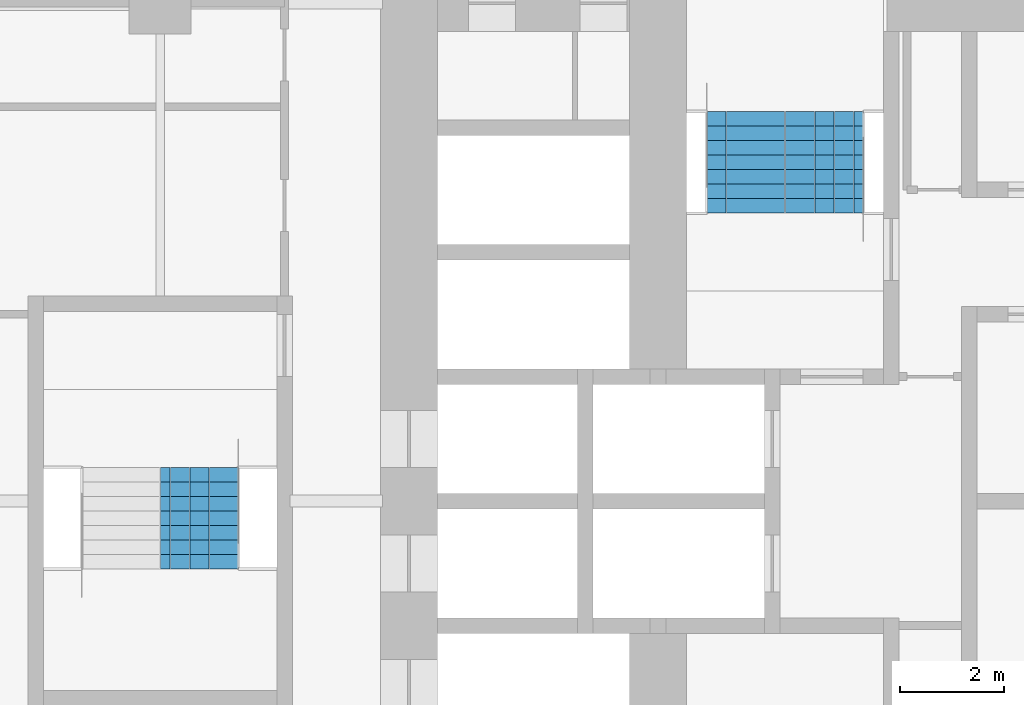
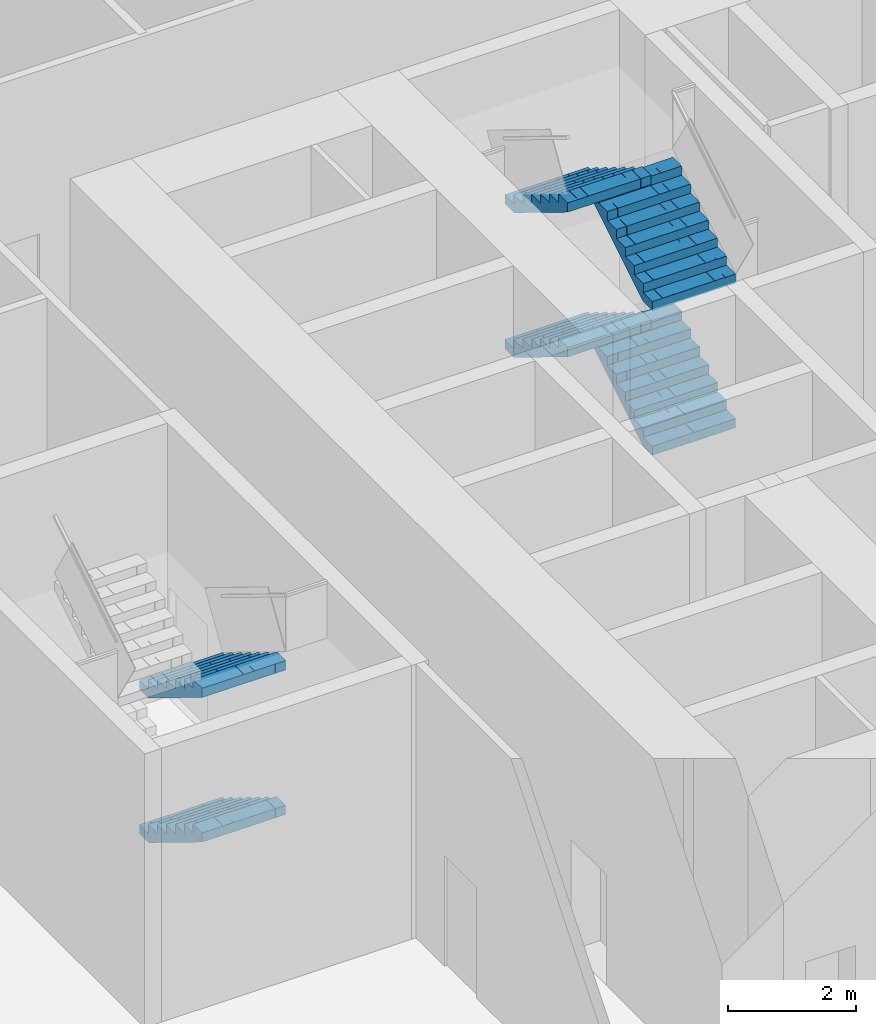
# One storey, part 24 of 27: 6 stair flights, 2 elements without a shape of their own.
"""IFC4 building model written with IfcOpenShell, lengths in metres."""

from ifc_helpers import new_model, si_unit, direction, frame, origin, place, context, subcontext, project, spatial, polyline, outline, extrude, material, type_object, element, aggregate, save


model = new_model("IFC4")

# Units and contexts
model_context = context("Model", 3, precision=1e-05, world=origin(), true_north=direction((0.0, 1.0)))
body_context = subcontext(model_context, "Body", "Model", "MODEL_VIEW")
ifc_project = project(units=[si_unit("LENGTHUNIT", "METRE"), si_unit("AREAUNIT", "SQUARE_METRE"), si_unit("VOLUMEUNIT", "CUBIC_METRE"), si_unit("PLANEANGLEUNIT", "RADIAN"), si_unit("MASSUNIT", "GRAM", prefix="KILO")], contexts=[model_context])

# Site, building, storey
site_placement = place(None, origin())
site = spatial("IfcSite", under=ifc_project, at=site_placement, CompositionType="ELEMENT")
building_placement = place(site_placement, origin())
building = spatial("IfcBuilding", under=site, at=building_placement, Name="Kolab Exchange Tower", CompositionType="ELEMENT")
storey_placement = place(building_placement, frame((0.0, 0.0, 66.39990234375)))
storey = spatial("IfcBuildingStorey", under=building, at=storey_placement, Name="L12", CompositionType="ELEMENT", Elevation=66.39990234375)

# Stair, stair flights
ifc_material = material(Name="Concrete C50/60", Category="concrete")
stair_type_1 = type_object("IfcStairType", Name="STAIR ST1 RISER 171.9", PredefinedType="DOUBLE_RETURN_STAIR", material=ifc_material)
stair_1_placement = place(storey_placement, origin())
stair_1 = element("IfcStair", 1, at=stair_1_placement, inside=storey, type_object=stair_type_1, Name="Stair 1", PredefinedType="DOUBLE_RETURN_STAIR")
stair_flight_type = type_object("IfcStairFlightType", Name="STAIR FLIGHT 1500 RISER 171.9", PredefinedType="STRAIGHT", material=ifc_material)
stair_flight_1_placement = place(storey_placement, frame((-6.389892578125, 5.550048828125, 0.0), z_axis=(0.0, 0.0, 1.0), x_axis=(0.0, 1.0, 0.0)))
stair_flight_1 = element("IfcStairFlight", 2, at=stair_flight_1_placement, type_object=stair_flight_type, Name="ST1 flight 1", NumberOfRisers=8, NumberOfTreads=7, PredefinedType="STRAIGHT", RiserHeight=0.171875, TreadLength=0.28, context=body_context, shape_type="SweptSolid", body=[
    extrude(outline(polyline([(0.0, 0.0), (0.0, 0.171875), (0.280029296875, 0.171875), (0.280029296875, 0.34375), (0.56005859375, 0.34375), (0.56005859375, 0.515625), (0.840087890625, 0.515625), (0.840087890625, 0.6875), (1.1201171875, 0.6875), (1.1201171875, 0.859375), (1.39990234375, 0.859375), (1.39990234375, 1.03125), (1.679931640625, 1.03125), (1.679931640625, 1.203125), (1.9599609375, 1.203125), (1.9599609375, 1.375), (1.9599609375, 1.02734375), (0.28662109375, 0.0), (0.0, 0.0)])), frame((0.0, 0.75, 0.0), z_axis=(0.0, -1.0, 0.0), x_axis=(1.0, 0.0, 0.0)), (0.0, 0.0, 1.0), 0.185791015625),
    extrude(outline(polyline([(0.0, 0.0), (0.0, 0.171875), (0.280029296875, 0.171875), (0.280029296875, 0.34375), (0.56005859375, 0.34375), (0.56005859375, 0.515625), (0.840087890625, 0.515625), (0.840087890625, 0.6875), (1.1201171875, 0.6875), (1.1201171875, 0.859375), (1.39990234375, 0.859375), (1.39990234375, 1.03125), (1.679931640625, 1.03125), (1.679931640625, 1.203125), (1.9599609375, 1.203125), (1.9599609375, 1.375), (1.9599609375, 1.02734375), (0.28662109375, 0.0), (0.0, 0.0)])), frame((0.0, 0.562255859375, 0.0), z_axis=(0.0, -1.0, 0.0), x_axis=(1.0, 0.0, 0.0)), (0.0, 0.0, 1.0), 0.185791015625),
    extrude(outline(polyline([(0.0, 0.0), (0.0, 0.171875), (0.280029296875, 0.171875), (0.280029296875, 0.34375), (0.56005859375, 0.34375), (0.56005859375, 0.515625), (0.840087890625, 0.515625), (0.840087890625, 0.6875), (1.1201171875, 0.6875), (1.1201171875, 0.859375), (1.39990234375, 0.859375), (1.39990234375, 1.03125), (1.679931640625, 1.03125), (1.679931640625, 1.203125), (1.9599609375, 1.203125), (1.9599609375, 1.375), (1.9599609375, 1.02734375), (0.28662109375, 0.0), (0.0, 0.0)])), frame((0.0, 0.37451171875, 0.0), z_axis=(0.0, -1.0, 0.0), x_axis=(1.0, 0.0, 0.0)), (0.0, 0.0, 1.0), 0.185791015625),
    extrude(outline(polyline([(0.0, 0.0), (0.0, 0.171875), (0.280029296875, 0.171875), (0.280029296875, 0.34375), (0.56005859375, 0.34375), (0.56005859375, 0.515625), (0.840087890625, 0.515625), (0.840087890625, 0.6875), (1.1201171875, 0.6875), (1.1201171875, 0.859375), (1.39990234375, 0.859375), (1.39990234375, 1.03125), (1.679931640625, 1.03125), (1.679931640625, 1.203125), (1.9599609375, 1.203125), (1.9599609375, 1.375), (1.9599609375, 1.02734375), (0.28662109375, 0.0), (0.0, 0.0)])), frame((0.0, 0.186767578125, 0.0), z_axis=(0.0, -1.0, 0.0), x_axis=(1.0, 0.0, 0.0)), (0.0, 0.0, 1.0), 0.185791015625),
    extrude(outline(polyline([(0.0, 0.0), (0.0, 0.171875), (0.280029296875, 0.171875), (0.280029296875, 0.34375), (0.56005859375, 0.34375), (0.56005859375, 0.515625), (0.840087890625, 0.515625), (0.840087890625, 0.6875), (1.1201171875, 0.6875), (1.1201171875, 0.859375), (1.39990234375, 0.859375), (1.39990234375, 1.03125), (1.679931640625, 1.03125), (1.679931640625, 1.203125), (1.9599609375, 1.203125), (1.9599609375, 1.375), (1.9599609375, 1.02734375), (0.28662109375, 0.0), (0.0, 0.0)])), frame((0.0, -0.0009765625, 0.0), z_axis=(0.0, -1.0, 0.0), x_axis=(1.0, 0.0, 0.0)), (0.0, 0.0, 1.0), 0.185791015625),
    extrude(outline(polyline([(0.0, 0.0), (0.0, 0.171875), (0.280029296875, 0.171875), (0.280029296875, 0.34375), (0.56005859375, 0.34375), (0.56005859375, 0.515625), (0.840087890625, 0.515625), (0.840087890625, 0.6875), (1.1201171875, 0.6875), (1.1201171875, 0.859375), (1.39990234375, 0.859375), (1.39990234375, 1.03125), (1.679931640625, 1.03125), (1.679931640625, 1.203125), (1.9599609375, 1.203125), (1.9599609375, 1.375), (1.9599609375, 1.02734375), (0.28662109375, 0.0), (0.0, 0.0)])), frame((0.0, -0.188720703125, 0.0), z_axis=(0.0, -1.0, 0.0), x_axis=(1.0, 0.0, 0.0)), (0.0, 0.0, 1.0), 0.185791015625),
    extrude(outline(polyline([(0.0, 0.0), (0.0, 0.171875), (0.280029296875, 0.171875), (0.280029296875, 0.34375), (0.56005859375, 0.34375), (0.56005859375, 0.515625), (0.840087890625, 0.515625), (0.840087890625, 0.6875), (1.1201171875, 0.6875), (1.1201171875, 0.859375), (1.39990234375, 0.859375), (1.39990234375, 1.03125), (1.679931640625, 1.03125), (1.679931640625, 1.203125), (1.9599609375, 1.203125), (1.9599609375, 1.375), (1.9599609375, 1.02734375), (0.28662109375, 0.0), (0.0, 0.0)])), frame((0.0, -0.37646484375, 0.0), z_axis=(0.0, -1.0, 0.0), x_axis=(1.0, 0.0, 0.0)), (0.0, 0.0, 1.0), 0.185791015625),
    extrude(outline(polyline([(0.0, 0.0), (0.0, 0.171875), (0.280029296875, 0.171875), (0.280029296875, 0.34375), (0.56005859375, 0.34375), (0.56005859375, 0.515625), (0.840087890625, 0.515625), (0.840087890625, 0.6875), (1.1201171875, 0.6875), (1.1201171875, 0.859375), (1.39990234375, 0.859375), (1.39990234375, 1.03125), (1.679931640625, 1.03125), (1.679931640625, 1.203125), (1.9599609375, 1.203125), (1.9599609375, 1.375), (1.9599609375, 1.02734375), (0.28662109375, 0.0), (0.0, 0.0)])), frame((0.0, -0.564208984375, 0.0), z_axis=(0.0, -1.0, 0.0), x_axis=(1.0, 0.0, 0.0)), (0.0, 0.0, 1.0), 0.185791015625),
])
stair_flight_2_placement = place(storey_placement, frame((-7.909912109375, 7.510009765625, 1.375), z_axis=(0.0, 0.0, 1.0), x_axis=(0.0, -1.0, 0.0)))
stair_flight_2 = element("IfcStairFlight", 3, at=stair_flight_2_placement, type_object=stair_flight_type, Name="ST1 flight 2", NumberOfRisers=8, NumberOfTreads=7, PredefinedType="STRAIGHT", RiserHeight=0.171875, TreadLength=0.28, context=body_context, shape_type="SweptSolid", body=[
    extrude(outline(polyline([(0.0, 0.0), (0.0, 0.171875), (0.280029296875, 0.171875), (0.280029296875, 0.34375), (0.56005859375, 0.34375), (0.56005859375, 0.515625), (0.840087890625, 0.515625), (0.840087890625, 0.6875), (1.1201171875, 0.6875), (1.1201171875, 0.859375), (1.39990234375, 0.859375), (1.39990234375, 1.03125), (1.679931640625, 1.03125), (1.679931640625, 1.203125), (1.9599609375, 1.203125), (1.9599609375, 1.375), (1.9599609375, 1.02734375), (0.28662109375, 0.0), (0.0, 0.0)])), frame((0.0, 0.75, 0.0), z_axis=(0.0, -1.0, 0.0), x_axis=(1.0, 0.0, 0.0)), (0.0, 0.0, 1.0), 0.185791015625),
    extrude(outline(polyline([(0.0, 0.0), (0.0, 0.171875), (0.280029296875, 0.171875), (0.280029296875, 0.34375), (0.56005859375, 0.34375), (0.56005859375, 0.515625), (0.840087890625, 0.515625), (0.840087890625, 0.6875), (1.1201171875, 0.6875), (1.1201171875, 0.859375), (1.39990234375, 0.859375), (1.39990234375, 1.03125), (1.679931640625, 1.03125), (1.679931640625, 1.203125), (1.9599609375, 1.203125), (1.9599609375, 1.375), (1.9599609375, 1.02734375), (0.28662109375, 0.0), (0.0, 0.0)])), frame((0.0, 0.562255859375, 0.0), z_axis=(0.0, -1.0, 0.0), x_axis=(1.0, 0.0, 0.0)), (0.0, 0.0, 1.0), 0.185791015625),
    extrude(outline(polyline([(0.0, 0.0), (0.0, 0.171875), (0.280029296875, 0.171875), (0.280029296875, 0.34375), (0.56005859375, 0.34375), (0.56005859375, 0.515625), (0.840087890625, 0.515625), (0.840087890625, 0.6875), (1.1201171875, 0.6875), (1.1201171875, 0.859375), (1.39990234375, 0.859375), (1.39990234375, 1.03125), (1.679931640625, 1.03125), (1.679931640625, 1.203125), (1.9599609375, 1.203125), (1.9599609375, 1.375), (1.9599609375, 1.02734375), (0.28662109375, 0.0), (0.0, 0.0)])), frame((0.0, 0.37451171875, 0.0), z_axis=(0.0, -1.0, 0.0), x_axis=(1.0, 0.0, 0.0)), (0.0, 0.0, 1.0), 0.185791015625),
    extrude(outline(polyline([(0.0, 0.0), (0.0, 0.171875), (0.280029296875, 0.171875), (0.280029296875, 0.34375), (0.56005859375, 0.34375), (0.56005859375, 0.515625), (0.840087890625, 0.515625), (0.840087890625, 0.6875), (1.1201171875, 0.6875), (1.1201171875, 0.859375), (1.39990234375, 0.859375), (1.39990234375, 1.03125), (1.679931640625, 1.03125), (1.679931640625, 1.203125), (1.9599609375, 1.203125), (1.9599609375, 1.375), (1.9599609375, 1.02734375), (0.28662109375, 0.0), (0.0, 0.0)])), frame((0.0, 0.186767578125, 0.0), z_axis=(0.0, -1.0, 0.0), x_axis=(1.0, 0.0, 0.0)), (0.0, 0.0, 1.0), 0.185791015625),
    extrude(outline(polyline([(0.0, 0.0), (0.0, 0.171875), (0.280029296875, 0.171875), (0.280029296875, 0.34375), (0.56005859375, 0.34375), (0.56005859375, 0.515625), (0.840087890625, 0.515625), (0.840087890625, 0.6875), (1.1201171875, 0.6875), (1.1201171875, 0.859375), (1.39990234375, 0.859375), (1.39990234375, 1.03125), (1.679931640625, 1.03125), (1.679931640625, 1.203125), (1.9599609375, 1.203125), (1.9599609375, 1.375), (1.9599609375, 1.02734375), (0.28662109375, 0.0), (0.0, 0.0)])), frame((0.0, -0.0009765625, 0.0), z_axis=(0.0, -1.0, 0.0), x_axis=(1.0, 0.0, 0.0)), (0.0, 0.0, 1.0), 0.185791015625),
    extrude(outline(polyline([(0.0, 0.0), (0.0, 0.171875), (0.280029296875, 0.171875), (0.280029296875, 0.34375), (0.56005859375, 0.34375), (0.56005859375, 0.515625), (0.840087890625, 0.515625), (0.840087890625, 0.6875), (1.1201171875, 0.6875), (1.1201171875, 0.859375), (1.39990234375, 0.859375), (1.39990234375, 1.03125), (1.679931640625, 1.03125), (1.679931640625, 1.203125), (1.9599609375, 1.203125), (1.9599609375, 1.375), (1.9599609375, 1.02734375), (0.28662109375, 0.0), (0.0, 0.0)])), frame((0.0, -0.188720703125, 0.0), z_axis=(0.0, -1.0, 0.0), x_axis=(1.0, 0.0, 0.0)), (0.0, 0.0, 1.0), 0.185791015625),
    extrude(outline(polyline([(0.0, 0.0), (0.0, 0.171875), (0.280029296875, 0.171875), (0.280029296875, 0.34375), (0.56005859375, 0.34375), (0.56005859375, 0.515625), (0.840087890625, 0.515625), (0.840087890625, 0.6875), (1.1201171875, 0.6875), (1.1201171875, 0.859375), (1.39990234375, 0.859375), (1.39990234375, 1.03125), (1.679931640625, 1.03125), (1.679931640625, 1.203125), (1.9599609375, 1.203125), (1.9599609375, 1.375), (1.9599609375, 1.02734375), (0.28662109375, 0.0), (0.0, 0.0)])), frame((0.0, -0.37646484375, 0.0), z_axis=(0.0, -1.0, 0.0), x_axis=(1.0, 0.0, 0.0)), (0.0, 0.0, 1.0), 0.185791015625),
    extrude(outline(polyline([(0.0, 0.0), (0.0, 0.171875), (0.280029296875, 0.171875), (0.280029296875, 0.34375), (0.56005859375, 0.34375), (0.56005859375, 0.515625), (0.840087890625, 0.515625), (0.840087890625, 0.6875), (1.1201171875, 0.6875), (1.1201171875, 0.859375), (1.39990234375, 0.859375), (1.39990234375, 1.03125), (1.679931640625, 1.03125), (1.679931640625, 1.203125), (1.9599609375, 1.203125), (1.9599609375, 1.375), (1.9599609375, 1.02734375), (0.28662109375, 0.0), (0.0, 0.0)])), frame((0.0, -0.564208984375, 0.0), z_axis=(0.0, -1.0, 0.0), x_axis=(1.0, 0.0, 0.0)), (0.0, 0.0, 1.0), 0.185791015625),
])
stair_flight_3_placement = place(storey_placement, frame((-6.389892578125, 5.550048828125, 2.75), z_axis=(0.0, 0.0, 1.0), x_axis=(0.0, 1.0, 0.0)))
stair_flight_3 = element("IfcStairFlight", 4, at=stair_flight_3_placement, type_object=stair_flight_type, Name="ST1 flight 3", NumberOfRisers=8, NumberOfTreads=7, PredefinedType="STRAIGHT", RiserHeight=0.171875, TreadLength=0.28, context=body_context, shape_type="SweptSolid", body=[
    extrude(outline(polyline([(0.0, 0.0), (0.0, 0.171875), (0.280029296875, 0.171875), (0.280029296875, 0.34375), (0.56005859375, 0.34375), (0.56005859375, 0.515625), (0.840087890625, 0.515625), (0.840087890625, 0.6875), (1.1201171875, 0.6875), (1.1201171875, 0.859375), (1.39990234375, 0.859375), (1.39990234375, 1.03125), (1.679931640625, 1.03125), (1.679931640625, 1.203125), (1.9599609375, 1.203125), (1.9599609375, 1.375), (1.9599609375, 1.02734375), (0.28662109375, 0.0), (0.0, 0.0)])), frame((0.0, 0.75, 0.0), z_axis=(0.0, -1.0, 0.0), x_axis=(1.0, 0.0, 0.0)), (0.0, 0.0, 1.0), 0.185791015625),
    extrude(outline(polyline([(0.0, 0.0), (0.0, 0.171875), (0.280029296875, 0.171875), (0.280029296875, 0.34375), (0.56005859375, 0.34375), (0.56005859375, 0.515625), (0.840087890625, 0.515625), (0.840087890625, 0.6875), (1.1201171875, 0.6875), (1.1201171875, 0.859375), (1.39990234375, 0.859375), (1.39990234375, 1.03125), (1.679931640625, 1.03125), (1.679931640625, 1.203125), (1.9599609375, 1.203125), (1.9599609375, 1.375), (1.9599609375, 1.02734375), (0.28662109375, 0.0), (0.0, 0.0)])), frame((0.0, 0.562255859375, 0.0), z_axis=(0.0, -1.0, 0.0), x_axis=(1.0, 0.0, 0.0)), (0.0, 0.0, 1.0), 0.185791015625),
    extrude(outline(polyline([(0.0, 0.0), (0.0, 0.171875), (0.280029296875, 0.171875), (0.280029296875, 0.34375), (0.56005859375, 0.34375), (0.56005859375, 0.515625), (0.840087890625, 0.515625), (0.840087890625, 0.6875), (1.1201171875, 0.6875), (1.1201171875, 0.859375), (1.39990234375, 0.859375), (1.39990234375, 1.03125), (1.679931640625, 1.03125), (1.679931640625, 1.203125), (1.9599609375, 1.203125), (1.9599609375, 1.375), (1.9599609375, 1.02734375), (0.28662109375, 0.0), (0.0, 0.0)])), frame((0.0, 0.37451171875, 0.0), z_axis=(0.0, -1.0, 0.0), x_axis=(1.0, 0.0, 0.0)), (0.0, 0.0, 1.0), 0.185791015625),
    extrude(outline(polyline([(0.0, 0.0), (0.0, 0.171875), (0.280029296875, 0.171875), (0.280029296875, 0.34375), (0.56005859375, 0.34375), (0.56005859375, 0.515625), (0.840087890625, 0.515625), (0.840087890625, 0.6875), (1.1201171875, 0.6875), (1.1201171875, 0.859375), (1.39990234375, 0.859375), (1.39990234375, 1.03125), (1.679931640625, 1.03125), (1.679931640625, 1.203125), (1.9599609375, 1.203125), (1.9599609375, 1.375), (1.9599609375, 1.02734375), (0.28662109375, 0.0), (0.0, 0.0)])), frame((0.0, 0.186767578125, 0.0), z_axis=(0.0, -1.0, 0.0), x_axis=(1.0, 0.0, 0.0)), (0.0, 0.0, 1.0), 0.185791015625),
    extrude(outline(polyline([(0.0, 0.0), (0.0, 0.171875), (0.280029296875, 0.171875), (0.280029296875, 0.34375), (0.56005859375, 0.34375), (0.56005859375, 0.515625), (0.840087890625, 0.515625), (0.840087890625, 0.6875), (1.1201171875, 0.6875), (1.1201171875, 0.859375), (1.39990234375, 0.859375), (1.39990234375, 1.03125), (1.679931640625, 1.03125), (1.679931640625, 1.203125), (1.9599609375, 1.203125), (1.9599609375, 1.375), (1.9599609375, 1.02734375), (0.28662109375, 0.0), (0.0, 0.0)])), frame((0.0, -0.0009765625, 0.0), z_axis=(0.0, -1.0, 0.0), x_axis=(1.0, 0.0, 0.0)), (0.0, 0.0, 1.0), 0.185791015625),
    extrude(outline(polyline([(0.0, 0.0), (0.0, 0.171875), (0.280029296875, 0.171875), (0.280029296875, 0.34375), (0.56005859375, 0.34375), (0.56005859375, 0.515625), (0.840087890625, 0.515625), (0.840087890625, 0.6875), (1.1201171875, 0.6875), (1.1201171875, 0.859375), (1.39990234375, 0.859375), (1.39990234375, 1.03125), (1.679931640625, 1.03125), (1.679931640625, 1.203125), (1.9599609375, 1.203125), (1.9599609375, 1.375), (1.9599609375, 1.02734375), (0.28662109375, 0.0), (0.0, 0.0)])), frame((0.0, -0.188720703125, 0.0), z_axis=(0.0, -1.0, 0.0), x_axis=(1.0, 0.0, 0.0)), (0.0, 0.0, 1.0), 0.185791015625),
    extrude(outline(polyline([(0.0, 0.0), (0.0, 0.171875), (0.280029296875, 0.171875), (0.280029296875, 0.34375), (0.56005859375, 0.34375), (0.56005859375, 0.515625), (0.840087890625, 0.515625), (0.840087890625, 0.6875), (1.1201171875, 0.6875), (1.1201171875, 0.859375), (1.39990234375, 0.859375), (1.39990234375, 1.03125), (1.679931640625, 1.03125), (1.679931640625, 1.203125), (1.9599609375, 1.203125), (1.9599609375, 1.375), (1.9599609375, 1.02734375), (0.28662109375, 0.0), (0.0, 0.0)])), frame((0.0, -0.37646484375, 0.0), z_axis=(0.0, -1.0, 0.0), x_axis=(1.0, 0.0, 0.0)), (0.0, 0.0, 1.0), 0.185791015625),
    extrude(outline(polyline([(0.0, 0.0), (0.0, 0.171875), (0.280029296875, 0.171875), (0.280029296875, 0.34375), (0.56005859375, 0.34375), (0.56005859375, 0.515625), (0.840087890625, 0.515625), (0.840087890625, 0.6875), (1.1201171875, 0.6875), (1.1201171875, 0.859375), (1.39990234375, 0.859375), (1.39990234375, 1.03125), (1.679931640625, 1.03125), (1.679931640625, 1.203125), (1.9599609375, 1.203125), (1.9599609375, 1.375), (1.9599609375, 1.02734375), (0.28662109375, 0.0), (0.0, 0.0)])), frame((0.0, -0.564208984375, 0.0), z_axis=(0.0, -1.0, 0.0), x_axis=(1.0, 0.0, 0.0)), (0.0, 0.0, 1.0), 0.185791015625),
])
stair_flight_4_placement = place(storey_placement, frame((-7.909912109375, 7.510009765625, 4.125), z_axis=(0.0, 0.0, 1.0), x_axis=(0.0, -1.0, 0.0)))
stair_flight_4 = element("IfcStairFlight", 5, at=stair_flight_4_placement, type_object=stair_flight_type, Name="ST1 flight 4", NumberOfRisers=8, NumberOfTreads=7, PredefinedType="STRAIGHT", RiserHeight=0.171875, TreadLength=0.28, context=body_context, shape_type="SweptSolid", body=[
    extrude(outline(polyline([(0.0, 0.0), (0.0, 0.171875), (0.280029296875, 0.171875), (0.280029296875, 0.34375), (0.56005859375, 0.34375), (0.56005859375, 0.515625), (0.840087890625, 0.515625), (0.840087890625, 0.6875), (1.1201171875, 0.6875), (1.1201171875, 0.859375), (1.39990234375, 0.859375), (1.39990234375, 1.03125), (1.679931640625, 1.03125), (1.679931640625, 1.203125), (1.9599609375, 1.203125), (1.9599609375, 1.375), (1.9599609375, 1.02734375), (0.28662109375, 0.0), (0.0, 0.0)])), frame((0.0, 0.75, 0.0), z_axis=(0.0, -1.0, 0.0), x_axis=(1.0, 0.0, 0.0)), (0.0, 0.0, 1.0), 0.185791015625),
    extrude(outline(polyline([(0.0, 0.0), (0.0, 0.171875), (0.280029296875, 0.171875), (0.280029296875, 0.34375), (0.56005859375, 0.34375), (0.56005859375, 0.515625), (0.840087890625, 0.515625), (0.840087890625, 0.6875), (1.1201171875, 0.6875), (1.1201171875, 0.859375), (1.39990234375, 0.859375), (1.39990234375, 1.03125), (1.679931640625, 1.03125), (1.679931640625, 1.203125), (1.9599609375, 1.203125), (1.9599609375, 1.375), (1.9599609375, 1.02734375), (0.28662109375, 0.0), (0.0, 0.0)])), frame((0.0, 0.562255859375, 0.0), z_axis=(0.0, -1.0, 0.0), x_axis=(1.0, 0.0, 0.0)), (0.0, 0.0, 1.0), 0.185791015625),
    extrude(outline(polyline([(0.0, 0.0), (0.0, 0.171875), (0.280029296875, 0.171875), (0.280029296875, 0.34375), (0.56005859375, 0.34375), (0.56005859375, 0.515625), (0.840087890625, 0.515625), (0.840087890625, 0.6875), (1.1201171875, 0.6875), (1.1201171875, 0.859375), (1.39990234375, 0.859375), (1.39990234375, 1.03125), (1.679931640625, 1.03125), (1.679931640625, 1.203125), (1.9599609375, 1.203125), (1.9599609375, 1.375), (1.9599609375, 1.02734375), (0.28662109375, 0.0), (0.0, 0.0)])), frame((0.0, 0.37451171875, 0.0), z_axis=(0.0, -1.0, 0.0), x_axis=(1.0, 0.0, 0.0)), (0.0, 0.0, 1.0), 0.185791015625),
    extrude(outline(polyline([(0.0, 0.0), (0.0, 0.171875), (0.280029296875, 0.171875), (0.280029296875, 0.34375), (0.56005859375, 0.34375), (0.56005859375, 0.515625), (0.840087890625, 0.515625), (0.840087890625, 0.6875), (1.1201171875, 0.6875), (1.1201171875, 0.859375), (1.39990234375, 0.859375), (1.39990234375, 1.03125), (1.679931640625, 1.03125), (1.679931640625, 1.203125), (1.9599609375, 1.203125), (1.9599609375, 1.375), (1.9599609375, 1.02734375), (0.28662109375, 0.0), (0.0, 0.0)])), frame((0.0, 0.186767578125, 0.0), z_axis=(0.0, -1.0, 0.0), x_axis=(1.0, 0.0, 0.0)), (0.0, 0.0, 1.0), 0.185791015625),
    extrude(outline(polyline([(0.0, 0.0), (0.0, 0.171875), (0.280029296875, 0.171875), (0.280029296875, 0.34375), (0.56005859375, 0.34375), (0.56005859375, 0.515625), (0.840087890625, 0.515625), (0.840087890625, 0.6875), (1.1201171875, 0.6875), (1.1201171875, 0.859375), (1.39990234375, 0.859375), (1.39990234375, 1.03125), (1.679931640625, 1.03125), (1.679931640625, 1.203125), (1.9599609375, 1.203125), (1.9599609375, 1.375), (1.9599609375, 1.02734375), (0.28662109375, 0.0), (0.0, 0.0)])), frame((0.0, -0.0009765625, 0.0), z_axis=(0.0, -1.0, 0.0), x_axis=(1.0, 0.0, 0.0)), (0.0, 0.0, 1.0), 0.185791015625),
    extrude(outline(polyline([(0.0, 0.0), (0.0, 0.171875), (0.280029296875, 0.171875), (0.280029296875, 0.34375), (0.56005859375, 0.34375), (0.56005859375, 0.515625), (0.840087890625, 0.515625), (0.840087890625, 0.6875), (1.1201171875, 0.6875), (1.1201171875, 0.859375), (1.39990234375, 0.859375), (1.39990234375, 1.03125), (1.679931640625, 1.03125), (1.679931640625, 1.203125), (1.9599609375, 1.203125), (1.9599609375, 1.375), (1.9599609375, 1.02734375), (0.28662109375, 0.0), (0.0, 0.0)])), frame((0.0, -0.188720703125, 0.0), z_axis=(0.0, -1.0, 0.0), x_axis=(1.0, 0.0, 0.0)), (0.0, 0.0, 1.0), 0.185791015625),
    extrude(outline(polyline([(0.0, 0.0), (0.0, 0.171875), (0.280029296875, 0.171875), (0.280029296875, 0.34375), (0.56005859375, 0.34375), (0.56005859375, 0.515625), (0.840087890625, 0.515625), (0.840087890625, 0.6875), (1.1201171875, 0.6875), (1.1201171875, 0.859375), (1.39990234375, 0.859375), (1.39990234375, 1.03125), (1.679931640625, 1.03125), (1.679931640625, 1.203125), (1.9599609375, 1.203125), (1.9599609375, 1.375), (1.9599609375, 1.02734375), (0.28662109375, 0.0), (0.0, 0.0)])), frame((0.0, -0.37646484375, 0.0), z_axis=(0.0, -1.0, 0.0), x_axis=(1.0, 0.0, 0.0)), (0.0, 0.0, 1.0), 0.185791015625),
    extrude(outline(polyline([(0.0, 0.0), (0.0, 0.171875), (0.280029296875, 0.171875), (0.280029296875, 0.34375), (0.56005859375, 0.34375), (0.56005859375, 0.515625), (0.840087890625, 0.515625), (0.840087890625, 0.6875), (1.1201171875, 0.6875), (1.1201171875, 0.859375), (1.39990234375, 0.859375), (1.39990234375, 1.03125), (1.679931640625, 1.03125), (1.679931640625, 1.203125), (1.9599609375, 1.203125), (1.9599609375, 1.375), (1.9599609375, 1.02734375), (0.28662109375, 0.0), (0.0, 0.0)])), frame((0.0, -0.564208984375, 0.0), z_axis=(0.0, -1.0, 0.0), x_axis=(1.0, 0.0, 0.0)), (0.0, 0.0, 1.0), 0.185791015625),
])
aggregate(stair_1, [stair_flight_1, stair_flight_2, stair_flight_3, stair_flight_4])

stair_type_2 = type_object("IfcStairType", Name="STAIR ST5 RISER 171.9", PredefinedType="DOUBLE_RETURN_STAIR", material=ifc_material)
stair_2_placement = place(storey_placement, origin())
stair_2 = element("IfcStair", 6, at=stair_2_placement, inside=storey, type_object=stair_type_2, Name="Stair 5", PredefinedType="DOUBLE_RETURN_STAIR")
stair_flight_5_placement = place(storey_placement, frame((-18.43994140625, 0.64990234375, 0.0), z_axis=(0.0, 0.0, 1.0), x_axis=(0.0, -1.0, 0.0)))
stair_flight_5 = element("IfcStairFlight", 7, at=stair_flight_5_placement, type_object=stair_flight_type, Name="ST5 flight 1", NumberOfRisers=8, NumberOfTreads=7, PredefinedType="STRAIGHT", RiserHeight=0.171875, TreadLength=0.28, context=body_context, shape_type="SweptSolid", body=[
    extrude(outline(polyline([(0.0, 0.0), (0.0, 0.171875), (0.280029296875, 0.171875), (0.280029296875, 0.34375), (0.56005859375, 0.34375), (0.56005859375, 0.515625), (0.840087890625, 0.515625), (0.840087890625, 0.6875), (1.1201171875, 0.6875), (1.1201171875, 0.859375), (1.39990234375, 0.859375), (1.39990234375, 1.03125), (1.679931640625, 1.03125), (1.679931640625, 1.203125), (1.9599609375, 1.203125), (1.9599609375, 1.375), (1.9599609375, 1.02734375), (0.28662109375, 0.0), (0.0, 0.0)])), frame((0.0, 0.75, 0.0), z_axis=(0.0, -1.0, 0.0), x_axis=(1.0, 0.0, 0.0)), (0.0, 0.0, 1.0), 0.185791015625),
    extrude(outline(polyline([(0.0, 0.0), (0.0, 0.171875), (0.280029296875, 0.171875), (0.280029296875, 0.34375), (0.56005859375, 0.34375), (0.56005859375, 0.515625), (0.840087890625, 0.515625), (0.840087890625, 0.6875), (1.1201171875, 0.6875), (1.1201171875, 0.859375), (1.39990234375, 0.859375), (1.39990234375, 1.03125), (1.679931640625, 1.03125), (1.679931640625, 1.203125), (1.9599609375, 1.203125), (1.9599609375, 1.375), (1.9599609375, 1.02734375), (0.28662109375, 0.0), (0.0, 0.0)])), frame((0.0, 0.562255859375, 0.0), z_axis=(0.0, -1.0, 0.0), x_axis=(1.0, 0.0, 0.0)), (0.0, 0.0, 1.0), 0.185791015625),
    extrude(outline(polyline([(0.0, 0.0), (0.0, 0.171875), (0.280029296875, 0.171875), (0.280029296875, 0.34375), (0.56005859375, 0.34375), (0.56005859375, 0.515625), (0.840087890625, 0.515625), (0.840087890625, 0.6875), (1.1201171875, 0.6875), (1.1201171875, 0.859375), (1.39990234375, 0.859375), (1.39990234375, 1.03125), (1.679931640625, 1.03125), (1.679931640625, 1.203125), (1.9599609375, 1.203125), (1.9599609375, 1.375), (1.9599609375, 1.02734375), (0.28662109375, 0.0), (0.0, 0.0)])), frame((0.0, 0.37451171875, 0.0), z_axis=(0.0, -1.0, 0.0), x_axis=(1.0, 0.0, 0.0)), (0.0, 0.0, 1.0), 0.185791015625),
    extrude(outline(polyline([(0.0, 0.0), (0.0, 0.171875), (0.280029296875, 0.171875), (0.280029296875, 0.34375), (0.56005859375, 0.34375), (0.56005859375, 0.515625), (0.840087890625, 0.515625), (0.840087890625, 0.6875), (1.1201171875, 0.6875), (1.1201171875, 0.859375), (1.39990234375, 0.859375), (1.39990234375, 1.03125), (1.679931640625, 1.03125), (1.679931640625, 1.203125), (1.9599609375, 1.203125), (1.9599609375, 1.375), (1.9599609375, 1.02734375), (0.28662109375, 0.0), (0.0, 0.0)])), frame((0.0, 0.186767578125, 0.0), z_axis=(0.0, -1.0, 0.0), x_axis=(1.0, 0.0, 0.0)), (0.0, 0.0, 1.0), 0.185791015625),
    extrude(outline(polyline([(0.0, 0.0), (0.0, 0.171875), (0.280029296875, 0.171875), (0.280029296875, 0.34375), (0.56005859375, 0.34375), (0.56005859375, 0.515625), (0.840087890625, 0.515625), (0.840087890625, 0.6875), (1.1201171875, 0.6875), (1.1201171875, 0.859375), (1.39990234375, 0.859375), (1.39990234375, 1.03125), (1.679931640625, 1.03125), (1.679931640625, 1.203125), (1.9599609375, 1.203125), (1.9599609375, 1.375), (1.9599609375, 1.02734375), (0.28662109375, 0.0), (0.0, 0.0)])), frame((0.0, -0.0009765625, 0.0), z_axis=(0.0, -1.0, 0.0), x_axis=(1.0, 0.0, 0.0)), (0.0, 0.0, 1.0), 0.185791015625),
    extrude(outline(polyline([(0.0, 0.0), (0.0, 0.171875), (0.280029296875, 0.171875), (0.280029296875, 0.34375), (0.56005859375, 0.34375), (0.56005859375, 0.515625), (0.840087890625, 0.515625), (0.840087890625, 0.6875), (1.1201171875, 0.6875), (1.1201171875, 0.859375), (1.39990234375, 0.859375), (1.39990234375, 1.03125), (1.679931640625, 1.03125), (1.679931640625, 1.203125), (1.9599609375, 1.203125), (1.9599609375, 1.375), (1.9599609375, 1.02734375), (0.28662109375, 0.0), (0.0, 0.0)])), frame((0.0, -0.188720703125, 0.0), z_axis=(0.0, -1.0, 0.0), x_axis=(1.0, 0.0, 0.0)), (0.0, 0.0, 1.0), 0.185791015625),
    extrude(outline(polyline([(0.0, 0.0), (0.0, 0.171875), (0.280029296875, 0.171875), (0.280029296875, 0.34375), (0.56005859375, 0.34375), (0.56005859375, 0.515625), (0.840087890625, 0.515625), (0.840087890625, 0.6875), (1.1201171875, 0.6875), (1.1201171875, 0.859375), (1.39990234375, 0.859375), (1.39990234375, 1.03125), (1.679931640625, 1.03125), (1.679931640625, 1.203125), (1.9599609375, 1.203125), (1.9599609375, 1.375), (1.9599609375, 1.02734375), (0.28662109375, 0.0), (0.0, 0.0)])), frame((0.0, -0.37646484375, 0.0), z_axis=(0.0, -1.0, 0.0), x_axis=(1.0, 0.0, 0.0)), (0.0, 0.0, 1.0), 0.185791015625),
    extrude(outline(polyline([(0.0, 0.0), (0.0, 0.171875), (0.280029296875, 0.171875), (0.280029296875, 0.34375), (0.56005859375, 0.34375), (0.56005859375, 0.515625), (0.840087890625, 0.515625), (0.840087890625, 0.6875), (1.1201171875, 0.6875), (1.1201171875, 0.859375), (1.39990234375, 0.859375), (1.39990234375, 1.03125), (1.679931640625, 1.03125), (1.679931640625, 1.203125), (1.9599609375, 1.203125), (1.9599609375, 1.375), (1.9599609375, 1.02734375), (0.28662109375, 0.0), (0.0, 0.0)])), frame((0.0, -0.564208984375, 0.0), z_axis=(0.0, -1.0, 0.0), x_axis=(1.0, 0.0, 0.0)), (0.0, 0.0, 1.0), 0.185791015625),
])
stair_flight_6_placement = place(storey_placement, frame((-18.43994140625, 0.64990234375, 2.75), z_axis=(0.0, 0.0, 1.0), x_axis=(0.0, -1.0, 0.0)))
stair_flight_6 = element("IfcStairFlight", 8, at=stair_flight_6_placement, type_object=stair_flight_type, Name="ST5 flight 3", NumberOfRisers=8, NumberOfTreads=7, PredefinedType="STRAIGHT", RiserHeight=0.171875, TreadLength=0.28, context=body_context, shape_type="SweptSolid", body=[
    extrude(outline(polyline([(0.0, 0.0), (0.0, 0.171875), (0.280029296875, 0.171875), (0.280029296875, 0.34375), (0.56005859375, 0.34375), (0.56005859375, 0.515625), (0.840087890625, 0.515625), (0.840087890625, 0.6875), (1.1201171875, 0.6875), (1.1201171875, 0.859375), (1.39990234375, 0.859375), (1.39990234375, 1.03125), (1.679931640625, 1.03125), (1.679931640625, 1.203125), (1.9599609375, 1.203125), (1.9599609375, 1.375), (1.9599609375, 1.02734375), (0.28662109375, 0.0), (0.0, 0.0)])), frame((0.0, 0.75, 0.0), z_axis=(0.0, -1.0, 0.0), x_axis=(1.0, 0.0, 0.0)), (0.0, 0.0, 1.0), 0.185791015625),
    extrude(outline(polyline([(0.0, 0.0), (0.0, 0.171875), (0.280029296875, 0.171875), (0.280029296875, 0.34375), (0.56005859375, 0.34375), (0.56005859375, 0.515625), (0.840087890625, 0.515625), (0.840087890625, 0.6875), (1.1201171875, 0.6875), (1.1201171875, 0.859375), (1.39990234375, 0.859375), (1.39990234375, 1.03125), (1.679931640625, 1.03125), (1.679931640625, 1.203125), (1.9599609375, 1.203125), (1.9599609375, 1.375), (1.9599609375, 1.02734375), (0.28662109375, 0.0), (0.0, 0.0)])), frame((0.0, 0.562255859375, 0.0), z_axis=(0.0, -1.0, 0.0), x_axis=(1.0, 0.0, 0.0)), (0.0, 0.0, 1.0), 0.185791015625),
    extrude(outline(polyline([(0.0, 0.0), (0.0, 0.171875), (0.280029296875, 0.171875), (0.280029296875, 0.34375), (0.56005859375, 0.34375), (0.56005859375, 0.515625), (0.840087890625, 0.515625), (0.840087890625, 0.6875), (1.1201171875, 0.6875), (1.1201171875, 0.859375), (1.39990234375, 0.859375), (1.39990234375, 1.03125), (1.679931640625, 1.03125), (1.679931640625, 1.203125), (1.9599609375, 1.203125), (1.9599609375, 1.375), (1.9599609375, 1.02734375), (0.28662109375, 0.0), (0.0, 0.0)])), frame((0.0, 0.37451171875, 0.0), z_axis=(0.0, -1.0, 0.0), x_axis=(1.0, 0.0, 0.0)), (0.0, 0.0, 1.0), 0.185791015625),
    extrude(outline(polyline([(0.0, 0.0), (0.0, 0.171875), (0.280029296875, 0.171875), (0.280029296875, 0.34375), (0.56005859375, 0.34375), (0.56005859375, 0.515625), (0.840087890625, 0.515625), (0.840087890625, 0.6875), (1.1201171875, 0.6875), (1.1201171875, 0.859375), (1.39990234375, 0.859375), (1.39990234375, 1.03125), (1.679931640625, 1.03125), (1.679931640625, 1.203125), (1.9599609375, 1.203125), (1.9599609375, 1.375), (1.9599609375, 1.02734375), (0.28662109375, 0.0), (0.0, 0.0)])), frame((0.0, 0.186767578125, 0.0), z_axis=(0.0, -1.0, 0.0), x_axis=(1.0, 0.0, 0.0)), (0.0, 0.0, 1.0), 0.185791015625),
    extrude(outline(polyline([(0.0, 0.0), (0.0, 0.171875), (0.280029296875, 0.171875), (0.280029296875, 0.34375), (0.56005859375, 0.34375), (0.56005859375, 0.515625), (0.840087890625, 0.515625), (0.840087890625, 0.6875), (1.1201171875, 0.6875), (1.1201171875, 0.859375), (1.39990234375, 0.859375), (1.39990234375, 1.03125), (1.679931640625, 1.03125), (1.679931640625, 1.203125), (1.9599609375, 1.203125), (1.9599609375, 1.375), (1.9599609375, 1.02734375), (0.28662109375, 0.0), (0.0, 0.0)])), frame((0.0, -0.0009765625, 0.0), z_axis=(0.0, -1.0, 0.0), x_axis=(1.0, 0.0, 0.0)), (0.0, 0.0, 1.0), 0.185791015625),
    extrude(outline(polyline([(0.0, 0.0), (0.0, 0.171875), (0.280029296875, 0.171875), (0.280029296875, 0.34375), (0.56005859375, 0.34375), (0.56005859375, 0.515625), (0.840087890625, 0.515625), (0.840087890625, 0.6875), (1.1201171875, 0.6875), (1.1201171875, 0.859375), (1.39990234375, 0.859375), (1.39990234375, 1.03125), (1.679931640625, 1.03125), (1.679931640625, 1.203125), (1.9599609375, 1.203125), (1.9599609375, 1.375), (1.9599609375, 1.02734375), (0.28662109375, 0.0), (0.0, 0.0)])), frame((0.0, -0.188720703125, 0.0), z_axis=(0.0, -1.0, 0.0), x_axis=(1.0, 0.0, 0.0)), (0.0, 0.0, 1.0), 0.185791015625),
    extrude(outline(polyline([(0.0, 0.0), (0.0, 0.171875), (0.280029296875, 0.171875), (0.280029296875, 0.34375), (0.56005859375, 0.34375), (0.56005859375, 0.515625), (0.840087890625, 0.515625), (0.840087890625, 0.6875), (1.1201171875, 0.6875), (1.1201171875, 0.859375), (1.39990234375, 0.859375), (1.39990234375, 1.03125), (1.679931640625, 1.03125), (1.679931640625, 1.203125), (1.9599609375, 1.203125), (1.9599609375, 1.375), (1.9599609375, 1.02734375), (0.28662109375, 0.0), (0.0, 0.0)])), frame((0.0, -0.37646484375, 0.0), z_axis=(0.0, -1.0, 0.0), x_axis=(1.0, 0.0, 0.0)), (0.0, 0.0, 1.0), 0.185791015625),
    extrude(outline(polyline([(0.0, 0.0), (0.0, 0.171875), (0.280029296875, 0.171875), (0.280029296875, 0.34375), (0.56005859375, 0.34375), (0.56005859375, 0.515625), (0.840087890625, 0.515625), (0.840087890625, 0.6875), (1.1201171875, 0.6875), (1.1201171875, 0.859375), (1.39990234375, 0.859375), (1.39990234375, 1.03125), (1.679931640625, 1.03125), (1.679931640625, 1.203125), (1.9599609375, 1.203125), (1.9599609375, 1.375), (1.9599609375, 1.02734375), (0.28662109375, 0.0), (0.0, 0.0)])), frame((0.0, -0.564208984375, 0.0), z_axis=(0.0, -1.0, 0.0), x_axis=(1.0, 0.0, 0.0)), (0.0, 0.0, 1.0), 0.185791015625),
])
aggregate(stair_2, [stair_flight_5, stair_flight_6])

save(model, "model.ifc")
